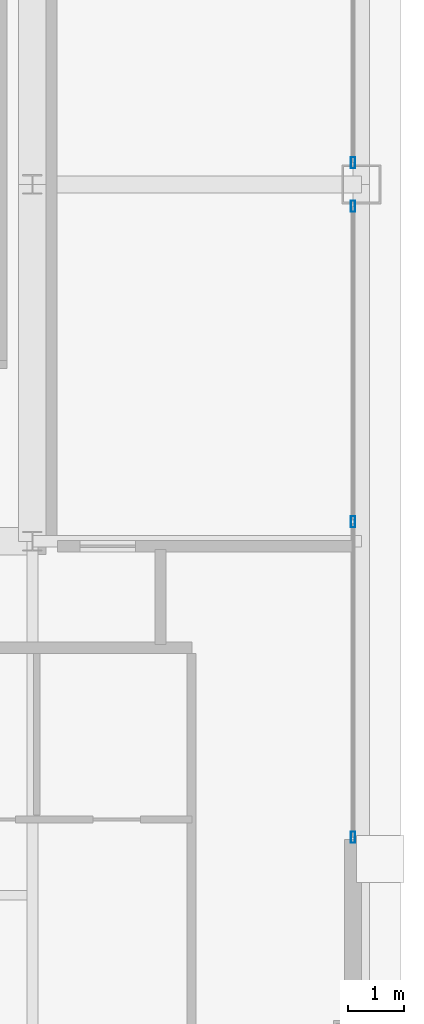
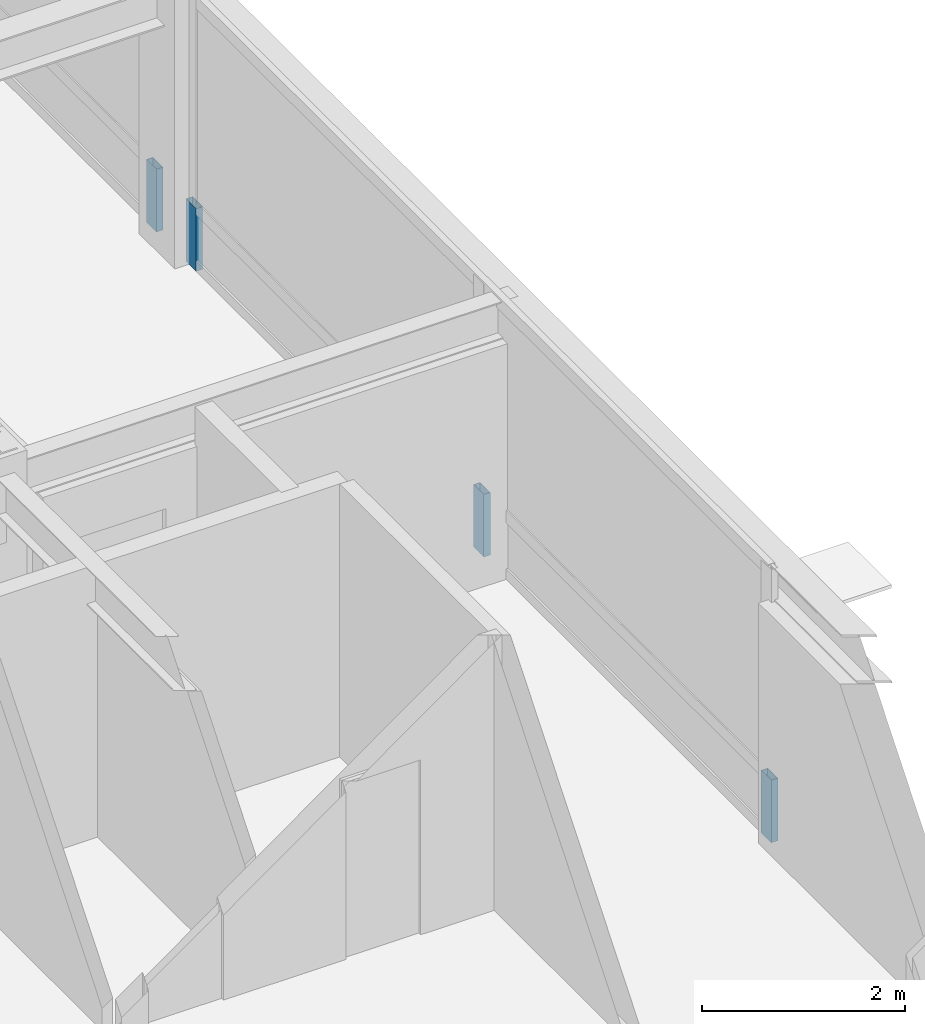
# One storey, part 25 of 35: 4 members, 2 elements without a shape of their own.
"""IFC4 building model written with IfcOpenShell, lengths in metres."""

from ifc_helpers import new_model, si_unit, direction, frame, origin, origin_2d, place, context, subcontext, project, spatial, hollow_rectangle, extrude, source, transform, mapped, material, layer, layer_set, material_profile, profile_set, type_object, element, aggregate, save


model = new_model("IFC4")

# Units and contexts
model_context = context("Model", 3, precision=1e-05, world=origin(), true_north=direction((0.0, 1.0)))
body_context = subcontext(model_context, "Body", "Model", "MODEL_VIEW")
ifc_project = project(units=[si_unit("LENGTHUNIT", "METRE"), si_unit("AREAUNIT", "SQUARE_METRE"), si_unit("VOLUMEUNIT", "CUBIC_METRE"), si_unit("PLANEANGLEUNIT", "RADIAN"), si_unit("MASSUNIT", "GRAM", prefix="KILO"), si_unit("THERMODYNAMICTEMPERATUREUNIT", "KELVIN"), si_unit("POWERUNIT", "WATT")], contexts=[model_context])

# Site, building, storey
site_placement = place(None, origin())
site = spatial("IfcSite", under=ifc_project, at=site_placement, CompositionType="ELEMENT")
building_placement = place(site_placement, origin())
building = spatial("IfcBuilding", under=site, at=building_placement, Name="Yuzanri Waterfront Tower", CompositionType="ELEMENT")
storey_placement = place(building_placement, frame((0.0, 0.0, 296.10009765625)))
storey = spatial("IfcBuildingStorey", under=building, at=storey_placement, Name="L79", CompositionType="ELEMENT", Elevation=296.10009765625)

# Curtain wall, members
ifc_material_1 = material(Name="Anodized Architectural Bronze", Category="metal")
ifc_layer = layer(ifc_material_1, 0.159912109375)
ifc_layer_set = layer_set([ifc_layer], Name="Anodized Architectural Bronze")
curtain_wall_type = type_object("IfcCurtainWallType", Name="Anodized Bronze High-Rise Penthouse High-Wind Unitized Curtain Wall 6900", PredefinedType="NOTDEFINED", material=ifc_layer_set)
curtain_wall_1_placement = place(storey_placement, origin())
curtain_wall_1 = element("IfcCurtainWall", 1, at=curtain_wall_1_placement, inside=storey, type_object=curtain_wall_type, Name="L79 Curtain Wall CW-L79-EL", PredefinedType="NOTDEFINED")
ifc_material_2 = material(Name="Anodized Architectural Bronze", Category="metal")
ifc_material_profile = material_profile(ifc_material_2, hollow_rectangle(XDim=0.074951171875, YDim=0.199951171875, WallThickness=0.00390625, at=origin_2d()), Name="CWM 75x200")
ifc_profile_set = profile_set([ifc_material_profile], Name="Anodized Architectural Bronze")
member_type = type_object("IfcMemberType", Name="Anodized Bronze Primary Curtain-Wall Mullion 75x200", PredefinedType="MULLION", material=ifc_profile_set)
shared_shape = source(origin(), body_context, "Body", "SweptSolid", [
    extrude(hollow_rectangle(XDim=0.074951171875, YDim=0.199951171875, WallThickness=0.00390625, at=origin_2d()), origin(), (0.0, 0.0, 1.0), 0.751953125),
])
member_1_placement = place(storey_placement, frame((55.949951171875, 14.090087890625, 0.0), z_axis=(0.0, 0.0, 1.0), x_axis=(1.0, 0.0, 0.0)))
member_1 = element("IfcMember", 2, at=member_1_placement, type_object=member_type, Name="CW-L79-EL Lower Mullion 00", PredefinedType="MULLION", context=body_context, shape_type="MappedRepresentation", body=[
    mapped(shared_shape, transform((0.0, 0.0, 0.0), scale=1.0)),
])
member_2_placement = place(storey_placement, frame((55.949951171875, 19.75, 0.0), z_axis=(0.0, 0.0, 1.0), x_axis=(1.0, 0.0, 0.0)))
member_2 = element("IfcMember", 3, at=member_2_placement, type_object=member_type, Name="CW-L79-EL Lower Mullion 01", PredefinedType="MULLION", context=body_context, shape_type="MappedRepresentation", body=[
    mapped(shared_shape, transform((0.0, 0.0, 0.0), scale=1.0)),
])
member_3_placement = place(storey_placement, frame((55.949951171875, 25.409912109375, 0.0), z_axis=(0.0, 0.0, 1.0), x_axis=(1.0, 0.0, 0.0)))
member_3 = element("IfcMember", 4, at=member_3_placement, type_object=member_type, Name="CW-L79-EL Lower Mullion 02", PredefinedType="MULLION", context=body_context, shape_type="MappedRepresentation", body=[
    mapped(shared_shape, transform((0.0, 0.0, 0.0), scale=1.0)),
])
aggregate(curtain_wall_1, [member_1, member_2, member_3])

# Curtain wall, member
curtain_wall_2_placement = place(storey_placement, origin())
curtain_wall_2 = element("IfcCurtainWall", 5, at=curtain_wall_2_placement, inside=storey, type_object=curtain_wall_type, Name="L79 Curtain Wall CW-L79-ER", PredefinedType="NOTDEFINED")
member_4_placement = place(storey_placement, frame((55.949951171875, 26.18994140625, 0.0), z_axis=(0.0, 0.0, 1.0), x_axis=(1.0, 0.0, 0.0)))
member_4 = element("IfcMember", 6, at=member_4_placement, type_object=member_type, Name="CW-L79-ER Lower Mullion 00", PredefinedType="MULLION", context=body_context, shape_type="MappedRepresentation", body=[
    mapped(shared_shape, transform((0.0, 0.0, 0.0), scale=1.0)),
])
aggregate(curtain_wall_2, [member_4])

save(model, "model.ifc")
